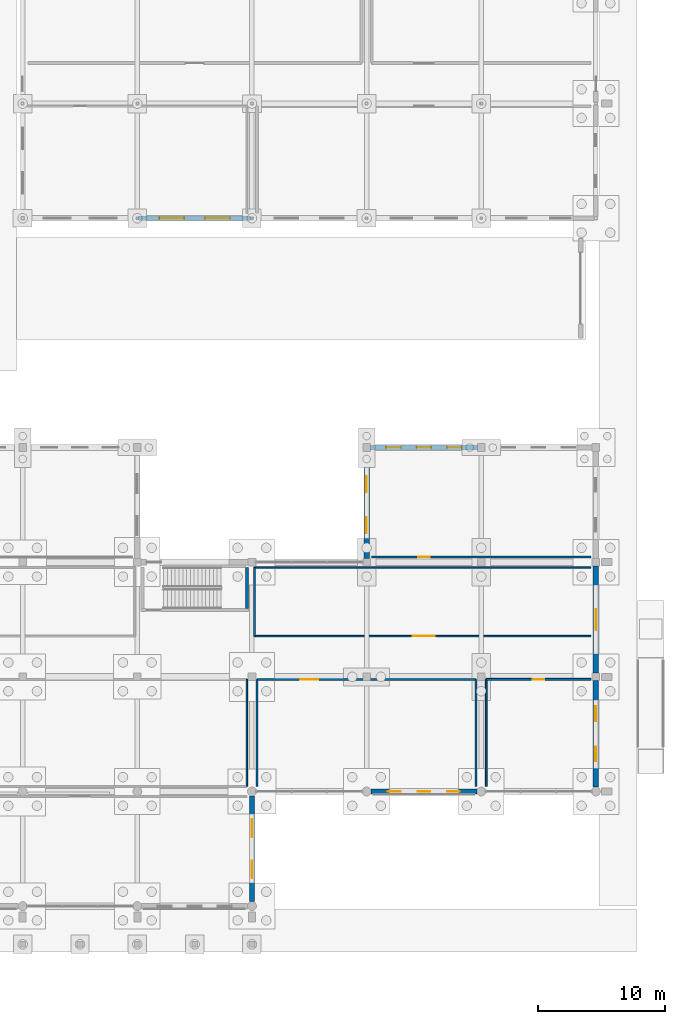
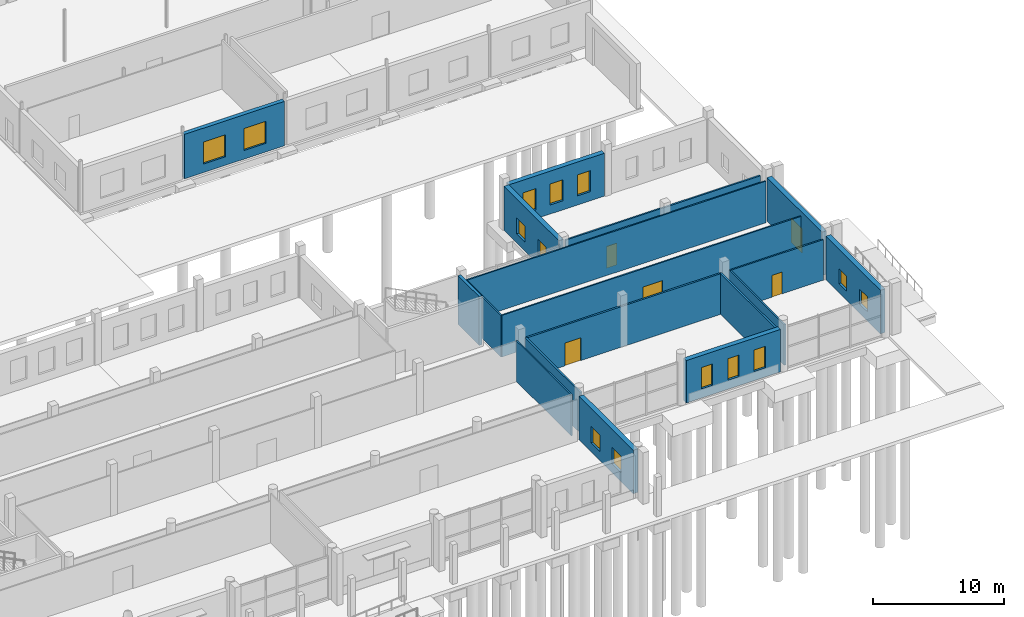
# One storey, part 77 of 112: 18 walls, 14 windows, 5 doors, 19 openings.
"""IFC4 building model written with IfcOpenShell, lengths in metres."""

from ifc_helpers import new_model, si_unit, direction, frame, frame_2d, origin, place, context, subcontext, project, spatial, rectangle, extrude, material, layer, layer_set, type_object, element, fill, save


model = new_model("IFC4")

# Units and contexts
model_context = context("Model", 3, precision=1e-05, world=origin(), true_north=direction((0.0, 1.0)))
body_context = subcontext(model_context, "Body", "Model", "MODEL_VIEW")
ifc_project = project(units=[si_unit("LENGTHUNIT", "METRE"), si_unit("AREAUNIT", "SQUARE_METRE"), si_unit("VOLUMEUNIT", "CUBIC_METRE"), si_unit("PLANEANGLEUNIT", "RADIAN"), si_unit("MASSUNIT", "GRAM", prefix="KILO")], contexts=[model_context])

# Site, building, storey
site_placement = place(None, origin())
site = spatial("IfcSite", under=ifc_project, at=site_placement, CompositionType="ELEMENT")
building_placement = place(site_placement, origin())
building = spatial("IfcBuilding", under=site, at=building_placement, Name="Tharagai Park Tramway Depot", CompositionType="ELEMENT")
storey_placement = place(building_placement, origin())
storey = spatial("IfcBuildingStorey", under=building, at=storey_placement, Name="L00", CompositionType="ELEMENT", Elevation=0.0)

# Wall, openings, windows
ifc_material_1 = material(Name="Concrete M35", Category="concrete")
ifc_layer_1 = layer(ifc_material_1, 0.360107421875)
ifc_layer_set_1 = layer_set([ifc_layer_1], Name="Concrete M35")
wall_type_1 = type_object("IfcWallType", Name="EW-03", PredefinedType="SOLIDWALL", material=ifc_layer_set_1)
wall_1_placement = place(storey_placement, frame((180.095947265625, 54.0, 0.0), z_axis=(0.0, 0.0, 1.0), x_axis=(1.0, 0.0, 0.0)))
wall_1 = element("IfcWall", 1, at=wall_1_placement, inside=storey, type_object=wall_type_1, Name="L00 V6 Exterior Masonry Wall EW-03", PredefinedType="SOLIDWALL", context=body_context, shape_type="SweptSolid", body=[
    extrude(rectangle(XDim=8.80810546875, YDim=0.360107421875, at=frame_2d((4.404052734375, 0.0))), origin(), (0.0, 0.0, 1.0), 4.14208984375),
])
opening_1_placement = place(wall_1_placement, frame((1.635986328125, 0.0, 0.800048828125)))
opening_1 = element("IfcOpeningElement", 2, at=opening_1_placement, cuts=wall_1, Name="Opening WN-19", PredefinedType="OPENING", context=body_context, shape_type="SweptSolid", body=[
    extrude(rectangle(XDim=1.949951171875, YDim=2.050048828125, at=frame_2d((0.97509765625, 1.02490234375))), frame((0.0, 0.18994140625, 0.0), z_axis=(0.0, -1.0, 0.0), x_axis=(1.0, 0.0, 0.0)), (0.0, 0.0, 1.0), 0.380126953125),
])
opening_2_placement = place(wall_1_placement, frame((5.221923828125, 0.0, 0.800048828125)))
opening_2 = element("IfcOpeningElement", 3, at=opening_2_placement, cuts=wall_1, Name="Opening WN-19", PredefinedType="OPENING", context=body_context, shape_type="SweptSolid", body=[
    extrude(rectangle(XDim=1.949951171875, YDim=2.050048828125, at=frame_2d((0.97509765625, 1.02490234375))), frame((0.0, 0.18994140625, 0.0), z_axis=(0.0, -1.0, 0.0), x_axis=(1.0, 0.0, 0.0)), (0.0, 0.0, 1.0), 0.380126953125),
])
ifc_material_2 = material(Name="Laminated solar-control glass", Category="glass")
window_type_1 = type_object("IfcWindowType", Name="WN-19", PartitioningType="SINGLE_PANEL", PredefinedType="WINDOW", material=ifc_material_2)
window_1_placement = place(opening_1_placement, origin())
window_1 = element("IfcWindow", 4, at=window_1_placement, inside=storey, type_object=window_type_1, Name="L00 V6 Gothic Lancet Window WN-19", OverallHeight=2.050048828125, OverallWidth=1.949951171875, PartitioningType="SINGLE_PANEL", PredefinedType="WINDOW", context=body_context, shape_type="SweptSolid", body=[
    extrude(rectangle(XDim=1.949951171875, YDim=2.050048828125, at=frame_2d((0.97509765625, 1.02490234375))), frame((0.0, 0.030029296875, 0.0), z_axis=(0.0, -1.0, 0.0), x_axis=(1.0, 0.0, 0.0)), (0.0, 0.0, 1.0), 0.06005859375),
])
fill(opening_1, window_1)
window_2_placement = place(opening_2_placement, origin())
window_2 = element("IfcWindow", 5, at=window_2_placement, inside=storey, type_object=window_type_1, Name="L00 V6 Gothic Lancet Window WN-19", OverallHeight=2.050048828125, OverallWidth=1.949951171875, PartitioningType="SINGLE_PANEL", PredefinedType="WINDOW", context=body_context, shape_type="SweptSolid", body=[
    extrude(rectangle(XDim=1.949951171875, YDim=2.050048828125, at=frame_2d((0.97509765625, 1.02490234375))), frame((0.0, 0.030029296875, 0.0), z_axis=(0.0, -1.0, 0.0), x_axis=(1.0, 0.0, 0.0)), (0.0, 0.0, 1.0), 0.06005859375),
])
fill(opening_2, window_2)

ifc_material_3 = material(Name="Charnockite stone", Category="masonry")
ifc_layer_2 = layer(ifc_material_3, 0.419921875)
ifc_layer_set_2 = layer_set([ifc_layer_2], Name="Charnockite stone")
wall_type_2 = type_object("IfcWallType", Name="EW-07", PredefinedType="SOLIDWALL", material=ifc_layer_set_2)
wall_2_placement = place(storey_placement, frame((198.347900390625, 9.0, 0.0), z_axis=(0.0, 0.0, 1.0), x_axis=(1.0, 0.0, 0.0)))
wall_2 = element("IfcWall", 6, at=wall_2_placement, inside=storey, type_object=wall_type_2, Name="L00 V5 Exterior Masonry Wall EW-07", PredefinedType="SOLIDWALL", context=body_context, shape_type="SweptSolid", body=[
    extrude(rectangle(XDim=8.30419921875, YDim=0.419921875, at=frame_2d((4.152099609375, 0.0))), origin(), (0.0, 0.0, 1.0), 3.9619140625),
])
opening_3_placement = place(wall_2_placement, frame((1.325927734375, 0.0, 0.85009765625)))
opening_3 = element("IfcOpeningElement", 7, at=opening_3_placement, cuts=wall_2, Name="Opening WN-04", PredefinedType="OPENING", context=body_context, shape_type="SweptSolid", body=[
    extrude(rectangle(XDim=1.0, YDim=2.0, at=frame_2d((0.5, 1.0))), frame((0.0, 0.219970703125, 0.0), z_axis=(0.0, -1.0, 0.0), x_axis=(1.0, 0.0, 0.0)), (0.0, 0.0, 1.0), 0.43994140625),
])
opening_4_placement = place(wall_2_placement, frame((3.652099609375, 0.0, 0.85009765625)))
opening_4 = element("IfcOpeningElement", 8, at=opening_4_placement, cuts=wall_2, Name="Opening WN-04", PredefinedType="OPENING", context=body_context, shape_type="SweptSolid", body=[
    extrude(rectangle(XDim=1.0, YDim=2.0, at=frame_2d((0.5, 1.0))), frame((0.0, 0.219970703125, 0.0), z_axis=(0.0, -1.0, 0.0), x_axis=(1.0, 0.0, 0.0)), (0.0, 0.0, 1.0), 0.43994140625),
])
opening_5_placement = place(wall_2_placement, frame((5.97802734375, 0.0, 0.85009765625)))
opening_5 = element("IfcOpeningElement", 9, at=opening_5_placement, cuts=wall_2, Name="Opening WN-04", PredefinedType="OPENING", context=body_context, shape_type="SweptSolid", body=[
    extrude(rectangle(XDim=1.0, YDim=2.0, at=frame_2d((0.5, 1.0))), frame((0.0, 0.219970703125, 0.0), z_axis=(0.0, -1.0, 0.0), x_axis=(1.0, 0.0, 0.0)), (0.0, 0.0, 1.0), 0.43994140625),
])
window_type_2 = type_object("IfcWindowType", Name="WN-04", PartitioningType="SINGLE_PANEL", PredefinedType="WINDOW", material=ifc_material_2)
window_3_placement = place(opening_3_placement, origin())
window_3 = element("IfcWindow", 10, at=window_3_placement, inside=storey, type_object=window_type_2, Name="L00 V5 Gothic Lancet Window WN-04", OverallHeight=2.0, OverallWidth=1.0, PartitioningType="SINGLE_PANEL", PredefinedType="WINDOW", context=body_context, shape_type="SweptSolid", body=[
    extrude(rectangle(XDim=1.0, YDim=2.0, at=frame_2d((0.5, 1.0))), frame((0.0, 0.030029296875, 0.0), z_axis=(0.0, -1.0, 0.0), x_axis=(1.0, 0.0, 0.0)), (0.0, 0.0, 1.0), 0.06005859375),
])
fill(opening_3, window_3)
window_4_placement = place(opening_4_placement, origin())
window_4 = element("IfcWindow", 11, at=window_4_placement, inside=storey, type_object=window_type_2, Name="L00 V5 Gothic Lancet Window WN-04", OverallHeight=2.0, OverallWidth=1.0, PartitioningType="SINGLE_PANEL", PredefinedType="WINDOW", context=body_context, shape_type="SweptSolid", body=[
    extrude(rectangle(XDim=1.0, YDim=2.0, at=frame_2d((0.5, 1.0))), frame((0.0, 0.030029296875, 0.0), z_axis=(0.0, -1.0, 0.0), x_axis=(1.0, 0.0, 0.0)), (0.0, 0.0, 1.0), 0.06005859375),
])
fill(opening_4, window_4)
window_5_placement = place(opening_5_placement, origin())
window_5 = element("IfcWindow", 12, at=window_5_placement, inside=storey, type_object=window_type_2, Name="L00 V5 Gothic Lancet Window WN-04", OverallHeight=2.0, OverallWidth=1.0, PartitioningType="SINGLE_PANEL", PredefinedType="WINDOW", context=body_context, shape_type="SweptSolid", body=[
    extrude(rectangle(XDim=1.0, YDim=2.0, at=frame_2d((0.5, 1.0))), frame((0.0, 0.030029296875, 0.0), z_axis=(0.0, -1.0, 0.0), x_axis=(1.0, 0.0, 0.0)), (0.0, 0.0, 1.0), 0.06005859375),
])
fill(opening_5, window_5)

wall_3_placement = place(storey_placement, frame((198.298095703125, 36.0, 0.0), z_axis=(0.0, 0.0, 1.0), x_axis=(1.0, 0.0, 0.0)))
wall_3 = element("IfcWall", 13, at=wall_3_placement, inside=storey, type_object=wall_type_2, Name="L00 V5 Exterior Masonry Wall EW-07", PredefinedType="SOLIDWALL", context=body_context, shape_type="SweptSolid", body=[
    extrude(rectangle(XDim=8.40380859375, YDim=0.419921875, at=frame_2d((4.201904296875, 0.0))), origin(), (0.0, 0.0, 1.0), 4.001953125),
])
opening_6_placement = place(wall_3_placement, frame((1.238037109375, 0.0, 0.85009765625)))
opening_6 = element("IfcOpeningElement", 14, at=opening_6_placement, cuts=wall_3, Name="Opening WN-28", PredefinedType="OPENING", context=body_context, shape_type="SweptSolid", body=[
    extrude(rectangle(XDim=1.14990234375, YDim=1.9599609375, at=frame_2d((0.574951171875, 0.97998046875))), frame((0.0, 0.219970703125, 0.0), z_axis=(0.0, -1.0, 0.0), x_axis=(1.0, 0.0, 0.0)), (0.0, 0.0, 1.0), 0.43994140625),
])
opening_7_placement = place(wall_3_placement, frame((3.626953125, 0.0, 0.85009765625)))
opening_7 = element("IfcOpeningElement", 15, at=opening_7_placement, cuts=wall_3, Name="Opening WN-28", PredefinedType="OPENING", context=body_context, shape_type="SweptSolid", body=[
    extrude(rectangle(XDim=1.14990234375, YDim=1.9599609375, at=frame_2d((0.574951171875, 0.97998046875))), frame((0.0, 0.219970703125, 0.0), z_axis=(0.0, -1.0, 0.0), x_axis=(1.0, 0.0, 0.0)), (0.0, 0.0, 1.0), 0.43994140625),
])
opening_8_placement = place(wall_3_placement, frame((6.014892578125, 0.0, 0.85009765625)))
opening_8 = element("IfcOpeningElement", 16, at=opening_8_placement, cuts=wall_3, Name="Opening WN-28", PredefinedType="OPENING", context=body_context, shape_type="SweptSolid", body=[
    extrude(rectangle(XDim=1.14990234375, YDim=1.9599609375, at=frame_2d((0.574951171875, 0.97998046875))), frame((0.0, 0.219970703125, 0.0), z_axis=(0.0, -1.0, 0.0), x_axis=(1.0, 0.0, 0.0)), (0.0, 0.0, 1.0), 0.43994140625),
])
window_type_3 = type_object("IfcWindowType", Name="WN-28", PartitioningType="SINGLE_PANEL", PredefinedType="WINDOW", material=ifc_material_2)
window_6_placement = place(opening_6_placement, origin())
window_6 = element("IfcWindow", 17, at=window_6_placement, inside=storey, type_object=window_type_3, Name="L00 V5 Gothic Lancet Window WN-28", OverallHeight=1.9599609375, OverallWidth=1.14990234375, PartitioningType="SINGLE_PANEL", PredefinedType="WINDOW", context=body_context, shape_type="SweptSolid", body=[
    extrude(rectangle(XDim=1.14990234375, YDim=1.9599609375, at=frame_2d((0.574951171875, 0.97998046875))), frame((0.0, 0.030029296875, 0.0), z_axis=(0.0, -1.0, 0.0), x_axis=(1.0, 0.0, 0.0)), (0.0, 0.0, 1.0), 0.06005859375),
])
fill(opening_6, window_6)
window_7_placement = place(opening_7_placement, origin())
window_7 = element("IfcWindow", 18, at=window_7_placement, inside=storey, type_object=window_type_3, Name="L00 V5 Gothic Lancet Window WN-28", OverallHeight=1.9599609375, OverallWidth=1.14990234375, PartitioningType="SINGLE_PANEL", PredefinedType="WINDOW", context=body_context, shape_type="SweptSolid", body=[
    extrude(rectangle(XDim=1.14990234375, YDim=1.9599609375, at=frame_2d((0.574951171875, 0.97998046875))), frame((0.0, 0.030029296875, 0.0), z_axis=(0.0, -1.0, 0.0), x_axis=(1.0, 0.0, 0.0)), (0.0, 0.0, 1.0), 0.06005859375),
])
fill(opening_7, window_7)
window_8_placement = place(opening_8_placement, origin())
window_8 = element("IfcWindow", 19, at=window_8_placement, inside=storey, type_object=window_type_3, Name="L00 V5 Gothic Lancet Window WN-28", OverallHeight=1.9599609375, OverallWidth=1.14990234375, PartitioningType="SINGLE_PANEL", PredefinedType="WINDOW", context=body_context, shape_type="SweptSolid", body=[
    extrude(rectangle(XDim=1.14990234375, YDim=1.9599609375, at=frame_2d((0.574951171875, 0.97998046875))), frame((0.0, 0.030029296875, 0.0), z_axis=(0.0, -1.0, 0.0), x_axis=(1.0, 0.0, 0.0)), (0.0, 0.0, 1.0), 0.06005859375),
])
fill(opening_8, window_8)

wall_4_placement = place(storey_placement, frame((189.0, 0.347900390625, 0.0), z_axis=(0.0, 0.0, 1.0), x_axis=(0.0, 1.0, 0.0)))
wall_4 = element("IfcWall", 20, at=wall_4_placement, inside=storey, type_object=wall_type_2, Name="L00 V5 Exterior Masonry Wall EW-07", PredefinedType="SOLIDWALL", context=body_context, shape_type="SweptSolid", body=[
    extrude(rectangle(XDim=8.30419921875, YDim=0.419921875, at=frame_2d((4.152099609375, 0.0))), origin(), (0.0, 0.0, 1.0), 4.06201171875),
])
opening_9_placement = place(wall_4_placement, frame((1.847900390625, 0.0, 0.85009765625)))
opening_9 = element("IfcOpeningElement", 21, at=opening_9_placement, cuts=wall_4, Name="Opening WN-12", PredefinedType="OPENING", context=body_context, shape_type="SweptSolid", body=[
    extrude(rectangle(XDim=1.3798828125, YDim=1.52001953125, at=frame_2d((0.68994140625, 0.760009765625))), frame((0.0, 0.219970703125, 0.0), z_axis=(0.0, -1.0, 0.0), x_axis=(1.0, 0.0, 0.0)), (0.0, 0.0, 1.0), 0.43994140625),
])
opening_10_placement = place(wall_4_placement, frame((5.075927734375, 0.0, 0.85009765625)))
opening_10 = element("IfcOpeningElement", 22, at=opening_10_placement, cuts=wall_4, Name="Opening WN-12", PredefinedType="OPENING", context=body_context, shape_type="SweptSolid", body=[
    extrude(rectangle(XDim=1.3798828125, YDim=1.52001953125, at=frame_2d((0.68994140625, 0.760009765625))), frame((0.0, 0.219970703125, 0.0), z_axis=(0.0, -1.0, 0.0), x_axis=(1.0, 0.0, 0.0)), (0.0, 0.0, 1.0), 0.43994140625),
])
window_type_4 = type_object("IfcWindowType", Name="WN-12", PartitioningType="SINGLE_PANEL", PredefinedType="WINDOW", material=ifc_material_2)
window_9_placement = place(opening_9_placement, origin())
window_9 = element("IfcWindow", 23, at=window_9_placement, inside=storey, type_object=window_type_4, Name="L00 V5 Side Lancet Window WN-12", OverallHeight=1.52001953125, OverallWidth=1.3798828125, PartitioningType="SINGLE_PANEL", PredefinedType="WINDOW", context=body_context, shape_type="SweptSolid", body=[
    extrude(rectangle(XDim=1.3798828125, YDim=1.52001953125, at=frame_2d((0.68994140625, 0.760009765625))), frame((0.0, 0.030029296875, 0.0), z_axis=(0.0, -1.0, 0.0), x_axis=(1.0, 0.0, 0.0)), (0.0, 0.0, 1.0), 0.06005859375),
])
fill(opening_9, window_9)
window_10_placement = place(opening_10_placement, origin())
window_10 = element("IfcWindow", 24, at=window_10_placement, inside=storey, type_object=window_type_4, Name="L00 V5 Side Lancet Window WN-12", OverallHeight=1.52001953125, OverallWidth=1.3798828125, PartitioningType="SINGLE_PANEL", PredefinedType="WINDOW", context=body_context, shape_type="SweptSolid", body=[
    extrude(rectangle(XDim=1.3798828125, YDim=1.52001953125, at=frame_2d((0.68994140625, 0.760009765625))), frame((0.0, 0.030029296875, 0.0), z_axis=(0.0, -1.0, 0.0), x_axis=(1.0, 0.0, 0.0)), (0.0, 0.0, 1.0), 0.06005859375),
])
fill(opening_10, window_10)

wall_5_placement = place(storey_placement, frame((198.0, 27.298095703125, 0.0), z_axis=(0.0, 0.0, 1.0), x_axis=(0.0, 1.0, 0.0)))
wall_5 = element("IfcWall", 25, at=wall_5_placement, inside=storey, type_object=wall_type_2, Name="L00 V5 Exterior Masonry Wall EW-07", PredefinedType="SOLIDWALL", context=body_context, shape_type="SweptSolid", body=[
    extrude(rectangle(XDim=8.40380859375, YDim=0.419921875, at=frame_2d((4.201904296875, 0.0))), origin(), (0.0, 0.0, 1.0), 4.10205078125),
])
opening_11_placement = place(wall_5_placement, frame((1.9609375, 0.0, 0.85009765625)))
opening_11 = element("IfcOpeningElement", 26, at=opening_11_placement, cuts=wall_5, Name="Opening WN-09", PredefinedType="OPENING", context=body_context, shape_type="SweptSolid", body=[
    extrude(rectangle(XDim=1.260009765625, YDim=1.4599609375, at=frame_2d((0.6298828125, 0.72998046875))), frame((0.0, 0.219970703125, 0.0), z_axis=(0.0, -1.0, 0.0), x_axis=(1.0, 0.0, 0.0)), (0.0, 0.0, 1.0), 0.43994140625),
])
opening_12_placement = place(wall_5_placement, frame((5.18310546875, 0.0, 0.85009765625)))
opening_12 = element("IfcOpeningElement", 27, at=opening_12_placement, cuts=wall_5, Name="Opening WN-09", PredefinedType="OPENING", context=body_context, shape_type="SweptSolid", body=[
    extrude(rectangle(XDim=1.260009765625, YDim=1.4599609375, at=frame_2d((0.6298828125, 0.72998046875))), frame((0.0, 0.219970703125, 0.0), z_axis=(0.0, -1.0, 0.0), x_axis=(1.0, 0.0, 0.0)), (0.0, 0.0, 1.0), 0.43994140625),
])
window_type_5 = type_object("IfcWindowType", Name="WN-09", PartitioningType="SINGLE_PANEL", PredefinedType="WINDOW", material=ifc_material_2)
window_11_placement = place(opening_11_placement, origin())
window_11 = element("IfcWindow", 28, at=window_11_placement, inside=storey, type_object=window_type_5, Name="L00 V5 Side Lancet Window WN-09", OverallHeight=1.4599609375, OverallWidth=1.260009765625, PartitioningType="SINGLE_PANEL", PredefinedType="WINDOW", context=body_context, shape_type="SweptSolid", body=[
    extrude(rectangle(XDim=1.260009765625, YDim=1.4599609375, at=frame_2d((0.6298828125, 0.72998046875))), frame((0.0, 0.030029296875, 0.0), z_axis=(0.0, -1.0, 0.0), x_axis=(1.0, 0.0, 0.0)), (0.0, 0.0, 1.0), 0.06005859375),
])
fill(opening_11, window_11)
window_12_placement = place(opening_12_placement, origin())
window_12 = element("IfcWindow", 29, at=window_12_placement, inside=storey, type_object=window_type_5, Name="L00 V5 Side Lancet Window WN-09", OverallHeight=1.4599609375, OverallWidth=1.260009765625, PartitioningType="SINGLE_PANEL", PredefinedType="WINDOW", context=body_context, shape_type="SweptSolid", body=[
    extrude(rectangle(XDim=1.260009765625, YDim=1.4599609375, at=frame_2d((0.6298828125, 0.72998046875))), frame((0.0, 0.030029296875, 0.0), z_axis=(0.0, -1.0, 0.0), x_axis=(1.0, 0.0, 0.0)), (0.0, 0.0, 1.0), 0.06005859375),
])
fill(opening_12, window_12)

wall_6_placement = place(storey_placement, frame((216.0, 9.347900390625, 0.0), z_axis=(0.0, 0.0, 1.0), x_axis=(0.0, 1.0, 0.0)))
wall_6 = element("IfcWall", 30, at=wall_6_placement, inside=storey, type_object=wall_type_2, Name="L00 V5 Exterior Masonry Wall EW-07", PredefinedType="SOLIDWALL", context=body_context, shape_type="SweptSolid", body=[
    extrude(rectangle(XDim=8.35400390625, YDim=0.419921875, at=frame_2d((4.177001953125, 0.0))), origin(), (0.0, 0.0, 1.0), 4.06201171875),
])
opening_13_placement = place(wall_6_placement, frame((2.010986328125, 0.0, 0.85009765625)))
opening_13 = element("IfcOpeningElement", 31, at=opening_13_placement, cuts=wall_6, Name="Opening WN-42", PredefinedType="OPENING", context=body_context, shape_type="SweptSolid", body=[
    extrude(rectangle(XDim=1.159912109375, YDim=1.39990234375, at=frame_2d((0.580078125, 0.699951171875))), frame((0.0, 0.219970703125, 0.0), z_axis=(0.0, -1.0, 0.0), x_axis=(1.0, 0.0, 0.0)), (0.0, 0.0, 1.0), 0.43994140625),
])
opening_14_placement = place(wall_6_placement, frame((5.18310546875, 0.0, 0.85009765625)))
opening_14 = element("IfcOpeningElement", 32, at=opening_14_placement, cuts=wall_6, Name="Opening WN-42", PredefinedType="OPENING", context=body_context, shape_type="SweptSolid", body=[
    extrude(rectangle(XDim=1.159912109375, YDim=1.39990234375, at=frame_2d((0.580078125, 0.699951171875))), frame((0.0, 0.219970703125, 0.0), z_axis=(0.0, -1.0, 0.0), x_axis=(1.0, 0.0, 0.0)), (0.0, 0.0, 1.0), 0.43994140625),
])
window_type_6 = type_object("IfcWindowType", Name="WN-42", PartitioningType="SINGLE_PANEL", PredefinedType="WINDOW", material=ifc_material_2)
window_13_placement = place(opening_13_placement, origin())
window_13 = element("IfcWindow", 33, at=window_13_placement, inside=storey, type_object=window_type_6, Name="L00 V5 Side Lancet Window WN-42", OverallHeight=1.39990234375, OverallWidth=1.159912109375, PartitioningType="SINGLE_PANEL", PredefinedType="WINDOW", context=body_context, shape_type="SweptSolid", body=[
    extrude(rectangle(XDim=1.159912109375, YDim=1.39990234375, at=frame_2d((0.580078125, 0.699951171875))), frame((0.0, 0.030029296875, 0.0), z_axis=(0.0, -1.0, 0.0), x_axis=(1.0, 0.0, 0.0)), (0.0, 0.0, 1.0), 0.06005859375),
])
fill(opening_13, window_13)
window_14_placement = place(opening_14_placement, origin())
window_14 = element("IfcWindow", 34, at=window_14_placement, inside=storey, type_object=window_type_6, Name="L00 V5 Side Lancet Window WN-42", OverallHeight=1.39990234375, OverallWidth=1.159912109375, PartitioningType="SINGLE_PANEL", PredefinedType="WINDOW", context=body_context, shape_type="SweptSolid", body=[
    extrude(rectangle(XDim=1.159912109375, YDim=1.39990234375, at=frame_2d((0.580078125, 0.699951171875))), frame((0.0, 0.030029296875, 0.0), z_axis=(0.0, -1.0, 0.0), x_axis=(1.0, 0.0, 0.0)), (0.0, 0.0, 1.0), 0.06005859375),
])
fill(opening_14, window_14)

# Wall, opening, door
wall_7_placement = place(storey_placement, frame((216.0, 18.298095703125, 0.0), z_axis=(0.0, 0.0, 1.0), x_axis=(0.0, 1.0, 0.0)))
wall_7 = element("IfcWall", 35, at=wall_7_placement, inside=storey, type_object=wall_type_2, Name="L00 V5 Exterior Masonry Wall EW-07", PredefinedType="SOLIDWALL", context=body_context, shape_type="SweptSolid", body=[
    extrude(rectangle(XDim=8.40380859375, YDim=0.419921875, at=frame_2d((4.201904296875, 0.0))), origin(), (0.0, 0.0, 1.0), 4.06201171875),
])
opening_15_placement = place(wall_7_placement, frame((3.376953125, 0.0, 0.0)))
opening_15 = element("IfcOpeningElement", 36, at=opening_15_placement, cuts=wall_7, Name="Opening ED-06", PredefinedType="OPENING", context=body_context, shape_type="SweptSolid", body=[
    extrude(rectangle(XDim=1.64990234375, YDim=2.280029296875, at=frame_2d((0.824951171875, 1.14013671875))), frame((0.0, 0.219970703125, 0.0), z_axis=(0.0, -1.0, 0.0), x_axis=(1.0, 0.0, 0.0)), (0.0, 0.0, 1.0), 0.43994140625),
])
ifc_material_4 = material(Name="Anodised aluminium", Category="aluminium")
door_type_1 = type_object("IfcDoorType", Name="ED-06", OperationType="DOUBLE_SWING_LEFT", PredefinedType="DOOR", material=ifc_material_4)
door_1_placement = place(opening_15_placement, frame((1.64990234375, 0.0, 0.0), z_axis=(0.0, 0.0, 1.0), x_axis=(-1.0, 0.0, 0.0)))
door_1 = element("IfcDoor", 37, at=door_1_placement, inside=storey, type_object=door_type_1, Name="Side Wing Entrance Door", OperationType="DOUBLE_SWING_LEFT", OverallHeight=2.280029296875, OverallWidth=1.64990234375, PredefinedType="DOOR", context=body_context, shape_type="SweptSolid", body=[
    extrude(rectangle(XDim=1.64990234375, YDim=2.280029296875, at=frame_2d((0.824951171875, 1.14013671875))), frame((0.0, 0.02490234375, 0.0), z_axis=(0.0, -1.0, 0.0), x_axis=(1.0, 0.0, 0.0)), (0.0, 0.0, 1.0), 0.050048828125),
])
fill(opening_15, door_1)

ifc_material_5 = material(Name="Pressed clay brick", Category="masonry")
ifc_layer_3 = layer(ifc_material_5, 0.139892578125)
ifc_layer_set_3 = layer_set([ifc_layer_3], Name="Pressed clay brick")
wall_type_3 = type_object("IfcWallType", Name="IW-01", PredefinedType="PARTITIONING", material=ifc_layer_set_3)
wall_8_placement = place(storey_placement, frame((207.39990234375, 17.800048828125, 0.0), z_axis=(0.0, 0.0, 1.0), x_axis=(1.0, 0.0, 0.0)))
wall_8 = element("IfcWall", 38, at=wall_8_placement, inside=storey, type_object=wall_type_3, Name="Visitor Accessible WC Partition North", PredefinedType="PARTITIONING", context=body_context, shape_type="SweptSolid", body=[
    extrude(rectangle(XDim=8.2001953125, YDim=0.139892578125, at=frame_2d((4.10009765625, 0.0))), origin(), (0.0, 0.0, 1.0), 3.784912109375),
])
opening_16_placement = place(wall_8_placement, frame((3.64501953125, 0.0, 0.0)))
opening_16 = element("IfcOpeningElement", 39, at=opening_16_placement, cuts=wall_8, Name="Opening ID-08", PredefinedType="OPENING", context=body_context, shape_type="SweptSolid", body=[
    extrude(rectangle(XDim=0.909912109375, YDim=2.0400390625, at=frame_2d((0.455078125, 1.02001953125))), frame((0.0, 0.079833984375, 0.0), z_axis=(0.0, -1.0, 0.0), x_axis=(1.0, 0.0, 0.0)), (0.0, 0.0, 1.0), 0.159912109375),
])
ifc_material_6 = material(Name="Pressed timber", Category="wood")
door_type_2 = type_object("IfcDoorType", Name="ID-08", OperationType="NOTDEFINED", PredefinedType="DOOR", material=ifc_material_6)
door_2_placement = place(opening_16_placement, origin())
door_2 = element("IfcDoor", 40, at=door_2_placement, inside=storey, type_object=door_type_2, Name="Visitor Accessible WC Door", OperationType="SINGLE_SWING_RIGHT", OverallHeight=2.0400390625, OverallWidth=0.909912109375, PredefinedType="DOOR", context=body_context, shape_type="SweptSolid", body=[
    extrude(rectangle(XDim=0.909912109375, YDim=2.0400390625, at=frame_2d((0.455078125, 1.02001953125))), frame((0.0, 0.02490234375, 0.0), z_axis=(0.0, -1.0, 0.0), x_axis=(1.0, 0.0, 0.0)), (0.0, 0.0, 1.0), 0.050048828125),
])
fill(opening_16, door_2)

# Wall
wall_9_placement = place(storey_placement, frame((207.39990234375, 9.39990234375, 0.0), z_axis=(0.0, 0.0, 1.0), x_axis=(0.0, 1.0, 0.0)))
element("IfcWall", 41, at=wall_9_placement, inside=storey, type_object=wall_type_3, Name="Visitor Accessible WC Partition West", PredefinedType="PARTITIONING", context=body_context, shape_type="SweptSolid", body=[
    extrude(rectangle(XDim=8.400146484375, YDim=0.139892578125, at=frame_2d((4.2001953125, 0.0))), origin(), (0.0, 0.0, 1.0), 3.784912109375),
])

# Wall, opening, door
wall_10_placement = place(storey_placement, frame((198.39990234375, 27.39990234375, 0.0), z_axis=(0.0, 0.0, 1.0), x_axis=(1.0, 0.0, 0.0)))
wall_10 = element("IfcWall", 42, at=wall_10_placement, inside=storey, type_object=wall_type_3, Name="Visitor Male and Female WC Partition South", PredefinedType="PARTITIONING", context=body_context, shape_type="SweptSolid", body=[
    extrude(rectangle(XDim=17.2001953125, YDim=0.139892578125, at=frame_2d((8.60009765625, 0.0))), origin(), (0.0, 0.0, 1.0), 3.925048828125),
])
opening_17_placement = place(wall_10_placement, frame((3.64501953125, 0.0, 0.0)))
opening_17 = element("IfcOpeningElement", 43, at=opening_17_placement, cuts=wall_10, Name="Opening ID-08", PredefinedType="OPENING", context=body_context, shape_type="SweptSolid", body=[
    extrude(rectangle(XDim=0.909912109375, YDim=2.0400390625, at=frame_2d((0.455078125, 1.02001953125))), frame((0.0, 0.079833984375, 0.0), z_axis=(0.0, -1.0, 0.0), x_axis=(1.0, 0.0, 0.0)), (0.0, 0.0, 1.0), 0.159912109375),
])
door_3_placement = place(opening_17_placement, frame((0.909912109375, 0.0, 0.0), z_axis=(0.0, 0.0, 1.0), x_axis=(-1.0, 0.0, 0.0)))
door_3 = element("IfcDoor", 44, at=door_3_placement, inside=storey, type_object=door_type_2, Name="Visitor Male and Female WC Door", OperationType="SINGLE_SWING_LEFT", OverallHeight=2.0400390625, OverallWidth=0.909912109375, PredefinedType="DOOR", context=body_context, shape_type="SweptSolid", body=[
    extrude(rectangle(XDim=0.909912109375, YDim=2.0400390625, at=frame_2d((0.455078125, 1.02001953125))), frame((0.0, 0.02490234375, 0.0), z_axis=(0.0, -1.0, 0.0), x_axis=(1.0, 0.0, 0.0)), (0.0, 0.0, 1.0), 0.050048828125),
])
fill(opening_17, door_3)

ifc_layer_4 = layer(ifc_material_5, 0.159912109375)
ifc_layer_set_4 = layer_set([ifc_layer_4], Name="Pressed clay brick")
wall_type_4 = type_object("IfcWallType", Name="IW-02", PredefinedType="PARTITIONING", material=ifc_layer_set_4)
wall_11_placement = place(storey_placement, frame((189.39990234375, 17.800048828125, 0.0), z_axis=(0.0, 0.0, 1.0), x_axis=(1.0, 0.0, 0.0)))
wall_11 = element("IfcWall", 45, at=wall_11_placement, inside=storey, type_object=wall_type_4, Name="Cafe Kitchen and Servery Partition North", PredefinedType="PARTITIONING", context=body_context, shape_type="SweptSolid", body=[
    extrude(rectangle(XDim=17.2001953125, YDim=0.159912109375, at=frame_2d((8.60009765625, 0.0))), origin(), (0.0, 0.0, 1.0), 3.784912109375),
])
opening_18_placement = place(wall_11_placement, frame((3.389892578125, 0.0, 0.0)))
opening_18 = element("IfcOpeningElement", 46, at=opening_18_placement, cuts=wall_11, Name="Opening ID-06", PredefinedType="OPENING", context=body_context, shape_type="SweptSolid", body=[
    extrude(rectangle(XDim=1.419921875, YDim=2.1201171875, at=frame_2d((0.7099609375, 1.06005859375))), frame((0.0, 0.08984375, 0.0), z_axis=(0.0, -1.0, 0.0), x_axis=(1.0, 0.0, 0.0)), (0.0, 0.0, 1.0), 0.179931640625),
])
ifc_material_7 = material(Name="Galvanised steel", Category="steel")
door_type_3 = type_object("IfcDoorType", Name="ID-06", OperationType="DOUBLE_SWING_LEFT", PredefinedType="DOOR", material=ifc_material_7)
door_4_placement = place(opening_18_placement, origin())
door_4 = element("IfcDoor", 47, at=door_4_placement, inside=storey, type_object=door_type_3, Name="Cafe Kitchen and Servery Door", OperationType="DOUBLE_SWING_LEFT", OverallHeight=2.1201171875, OverallWidth=1.419921875, PredefinedType="DOOR", context=body_context, shape_type="SweptSolid", body=[
    extrude(rectangle(XDim=1.419921875, YDim=2.1201171875, at=frame_2d((0.7099609375, 1.06005859375))), frame((0.0, 0.02490234375, 0.0), z_axis=(0.0, -1.0, 0.0), x_axis=(1.0, 0.0, 0.0)), (0.0, 0.0, 1.0), 0.050048828125),
])
fill(opening_18, door_4)

# Walls
for number, where, z_axis, x_axis, name in (
    (48, (189.39990234375, 9.39990234375, 0.0), (0.0, 0.0, 1.0), (0.0, 1.0, 0.0), "Cafe Kitchen and Servery Partition West"),
    (49, (206.60009765625, 9.39990234375, 0.0), (0.0, 0.0, 1.0), (0.0, 1.0, 0.0), "Cafe Kitchen and Servery Partition East"),
):
    element("IfcWall", number, at=place(storey_placement, frame(where, z_axis=z_axis, x_axis=x_axis)), inside=storey, type_object=wall_type_4, Name=name, PredefinedType="PARTITIONING", context=body_context, shape_type="SweptSolid", body=[
        extrude(rectangle(XDim=8.400146484375, YDim=0.159912109375, at=frame_2d((4.2001953125, 0.0))), origin(), (0.0, 0.0, 1.0), 3.784912109375),
    ])
ifc_material_8 = material(Name="Gypsum board", Category="gypsum")
ifc_layer_5 = layer(ifc_material_8, 0.1201171875)
ifc_layer_set_5 = layer_set([ifc_layer_5], Name="Gypsum board")
wall_type_5 = type_object("IfcWallType", Name="IW-03", PredefinedType="PARTITIONING", material=ifc_layer_set_5)
wall_12_placement = place(storey_placement, frame((188.60009765625, 9.39990234375, 0.0), z_axis=(0.0, 0.0, 1.0), x_axis=(0.0, 1.0, 0.0)))
element("IfcWall", 50, at=wall_12_placement, inside=storey, type_object=wall_type_5, Name="Tramway Museum Ticketing and Orientation Hall Partition East", PredefinedType="PARTITIONING", context=body_context, shape_type="SweptSolid", body=[
    extrude(rectangle(XDim=8.400146484375, YDim=0.1201171875, at=frame_2d((4.2001953125, 0.0))), origin(), (0.0, 0.0, 1.0), 3.784912109375),
])

# Wall, opening, door
wall_13_placement = place(storey_placement, frame((189.199951171875, 21.199951171875, 0.0), z_axis=(0.0, 0.0, 1.0), x_axis=(1.0, 0.0, 0.0)))
wall_13 = element("IfcWall", 51, at=wall_13_placement, inside=storey, type_object=wall_type_5, Name="Civic Transit Bookshop Partition South", PredefinedType="PARTITIONING", context=body_context, shape_type="SweptSolid", body=[
    extrude(rectangle(XDim=26.400146484375, YDim=0.1201171875, at=frame_2d((13.2001953125, 0.0))), origin(), (0.0, 0.0, 1.0), 3.885009765625),
])
opening_19_placement = place(wall_13_placement, frame((12.429931640625, 0.0, 0.0)))
opening_19 = element("IfcOpeningElement", 52, at=opening_19_placement, cuts=wall_13, Name="Opening ID-04", PredefinedType="OPENING", context=body_context, shape_type="SweptSolid", body=[
    extrude(rectangle(XDim=1.739990234375, YDim=2.179931640625, at=frame_2d((0.8701171875, 1.08984375))), frame((0.0, 0.070068359375, 0.0), z_axis=(0.0, -1.0, 0.0), x_axis=(1.0, 0.0, 0.0)), (0.0, 0.0, 1.0), 0.14013671875),
])
door_type_4 = type_object("IfcDoorType", Name="ID-04", OperationType="DOUBLE_SWING_LEFT", PredefinedType="DOOR", material=ifc_material_4)
door_5_placement = place(opening_19_placement, frame((1.739990234375, 0.0, 0.0), z_axis=(0.0, 0.0, 1.0), x_axis=(-1.0, 0.0, 0.0)))
door_5 = element("IfcDoor", 53, at=door_5_placement, inside=storey, type_object=door_type_4, Name="Civic Transit Bookshop Door", OperationType="DOUBLE_SWING_LEFT", OverallHeight=2.179931640625, OverallWidth=1.739990234375, PredefinedType="DOOR", context=body_context, shape_type="SweptSolid", body=[
    extrude(rectangle(XDim=1.739990234375, YDim=2.179931640625, at=frame_2d((0.8701171875, 1.08984375))), frame((0.0, 0.02490234375, 0.0), z_axis=(0.0, -1.0, 0.0), x_axis=(1.0, 0.0, 0.0)), (0.0, 0.0, 1.0), 0.050048828125),
])
fill(opening_19, door_5)

# Walls
wall_14_placement = place(storey_placement, frame((189.199951171875, 26.60009765625, 0.0), z_axis=(0.0, 0.0, 1.0), x_axis=(1.0, 0.0, 0.0)))
element("IfcWall", 54, at=wall_14_placement, inside=storey, type_object=wall_type_5, Name="Civic Transit Bookshop Partition North", PredefinedType="PARTITIONING", context=body_context, shape_type="SweptSolid", body=[
    extrude(rectangle(XDim=26.400146484375, YDim=0.1201171875, at=frame_2d((13.2001953125, 0.0))), origin(), (0.0, 0.0, 1.0), 3.885009765625),
])
wall_15_placement = place(storey_placement, frame((189.199951171875, 21.199951171875, 0.0), z_axis=(0.0, 0.0, 1.0), x_axis=(0.0, 1.0, 0.0)))
element("IfcWall", 55, at=wall_15_placement, inside=storey, type_object=wall_type_5, Name="Civic Transit Bookshop Partition West", PredefinedType="PARTITIONING", context=body_context, shape_type="SweptSolid", body=[
    extrude(rectangle(XDim=5.400146484375, YDim=0.1201171875, at=frame_2d((2.7001953125, 0.0))), origin(), (0.0, 0.0, 1.0), 3.885009765625),
])
ifc_material_9 = material(Name="Concrete M40", Category="concrete")
ifc_layer_6 = layer(ifc_material_9, 0.239990234375)
ifc_layer_set_6 = layer_set([ifc_layer_6], Name="Concrete M40")
wall_type_6 = type_object("IfcWallType", Name="SW-01", PredefinedType="SHEAR", material=ifc_layer_set_6)
wall_16_placement = place(storey_placement, frame((188.60009765625, 23.35009765625, 0.0), z_axis=(0.0, 0.0, 1.0), x_axis=(0.0, 1.0, 0.0)))
element("IfcWall", 56, at=wall_16_placement, inside=storey, type_object=wall_type_6, Name="Core C7 L00 Shear Wall East", PredefinedType="SHEAR", context=body_context, shape_type="SweptSolid", body=[
    extrude(rectangle(XDim=3.25, YDim=0.239990234375, at=frame_2d((1.625, 0.0))), origin(), (0.0, 0.0, 1.0), 4.550048828125),
])

save(model, "model.ifc")
